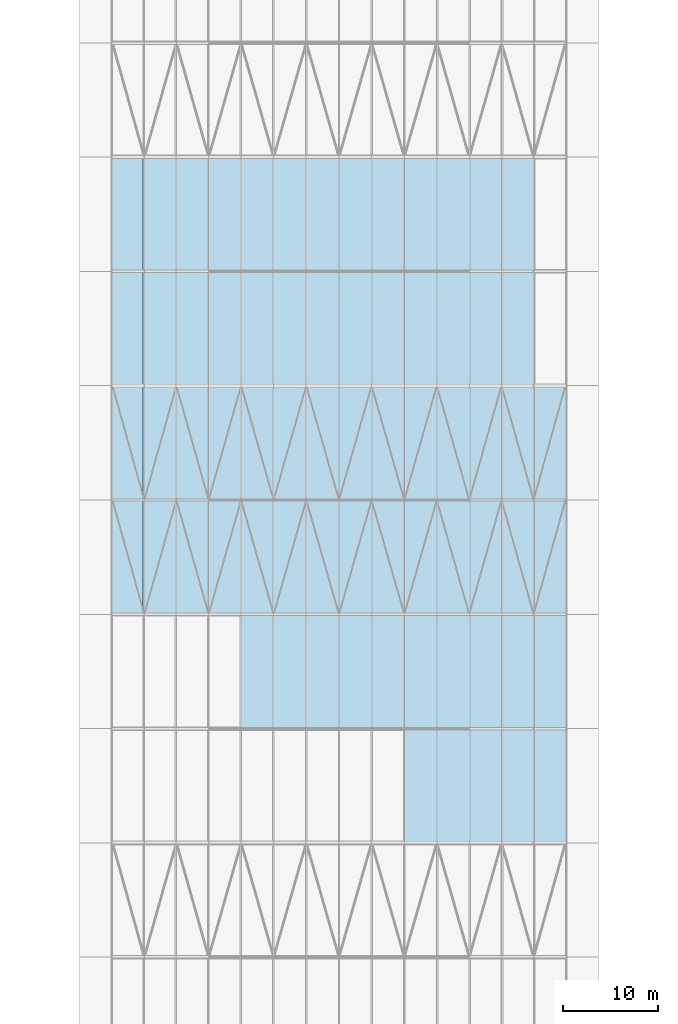
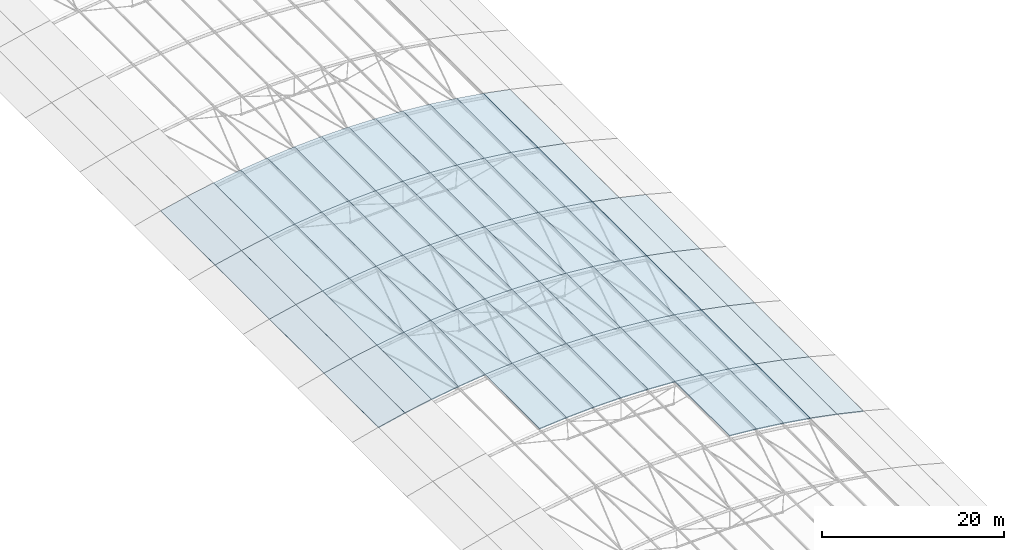
# One storey, part 50 of 91: 69 slabs.
"""IFC4 building model written with IfcOpenShell, lengths in metres."""

from ifc_helpers import new_model, si_unit, direction, frame, origin, place, context, subcontext, project, spatial, polyline, outline, extrude, material, layer, layer_set, type_object, element, save


model = new_model("IFC4")

# Units and contexts
model_context = context("Model", 3, precision=1e-05, world=origin(), true_north=direction((0.0, 1.0)))
body_context = subcontext(model_context, "Body", "Model", "MODEL_VIEW")
ifc_project = project(units=[si_unit("LENGTHUNIT", "METRE"), si_unit("AREAUNIT", "SQUARE_METRE"), si_unit("VOLUMEUNIT", "CUBIC_METRE"), si_unit("PLANEANGLEUNIT", "RADIAN"), si_unit("MASSUNIT", "GRAM", prefix="KILO")], contexts=[model_context])

# Site, building, storey
site_placement = place(None, origin())
site = spatial("IfcSite", under=ifc_project, at=site_placement, CompositionType="ELEMENT")
building_placement = place(site_placement, origin())
building = spatial("IfcBuilding", under=site, at=building_placement, Name="Ravi Spectrum Wholesale Market", CompositionType="ELEMENT")
storey_placement = place(building_placement, frame((0.0, 0.0, 16.199951171875)))
storey = spatial("IfcBuildingStorey", under=building, at=storey_placement, Name="ROOF PLANT LEVEL", CompositionType="ELEMENT", Elevation=16.199951171875)

# Slabs
ifc_material = material(Name="Steel S355", Category="steel")
ifc_layer = layer(ifc_material, 0.1201171875)
ifc_layer_set = layer_set([ifc_layer], Name="Steel S355")
slab_type = type_object("IfcSlabType", Name="Roof panel 120", PredefinedType="ROOF", material=ifc_layer_set)
slab_1_placement = place(storey_placement, frame((76.8984375, 78.0, 3.35498046875), z_axis=(0.086134430501, 0.0, 0.996283523844), x_axis=(0.996283523844, 0.0, -0.086134430501)))
element("IfcSlab", 1, at=slab_1_placement, inside=storey, type_object=slab_type, Name="H1-SL-ROOF-066", PredefinedType="ROOF", context=body_context, shape_type="SweptSolid", body=[
    extrude(outline(polyline([(0.0, 0.0), (3.4466472730346154, 0.0), (3.4466472730346154, 12.000000000000004), (0.0, 12.000000000000004), (0.0, 0.0)])), origin(), (0.0, 0.0, -1.0), 0.1201171875),
])
slab_2_placement = place(storey_placement, frame((80.33642578125, 78.0, 3.057861328125), z_axis=(0.120485786945, 0.0, 0.992715052341), x_axis=(0.992715052341, 0.0, -0.120485786945)))
element("IfcSlab", 2, at=slab_2_placement, inside=storey, type_object=slab_type, Name="H1-SL-ROOF-067", PredefinedType="ROOF", context=body_context, shape_type="SweptSolid", body=[
    extrude(outline(polyline([(0.0, 0.0), (3.446740181189331, 0.0), (3.446740181189331, 12.0), (0.0, 12.0), (0.0, 0.0)])), origin(), (0.0, 0.0, -1.0), 0.1201171875),
])
slab_3_placement = place(storey_placement, frame((83.761962890625, 78.0, 2.64208984375), z_axis=(0.154627524057, 0.0, 0.98797283809), x_axis=(0.98797283809, 0.0, -0.154627524057)))
element("IfcSlab", 3, at=slab_3_placement, inside=storey, type_object=slab_type, Name="H1-SL-ROOF-068", PredefinedType="ROOF", context=body_context, shape_type="SweptSolid", body=[
    extrude(outline(polyline([(0.0, 0.0), (3.4467277906978815, 0.0), (3.4467277906978815, 12.0), (0.0, 12.0), (0.0, 0.0)])), origin(), (0.0, 0.0, -1.0), 0.1201171875),
])
slab_4_placement = place(storey_placement, frame((87.17138671875, 78.0, 2.1083984375), z_axis=(0.188631955583, 0.0, 0.982047852873), x_axis=(0.982047852873, 0.0, -0.188631955583)))
element("IfcSlab", 4, at=slab_4_placement, inside=storey, type_object=slab_type, Name="H1-SL-ROOF-069", PredefinedType="ROOF", context=body_context, shape_type="SweptSolid", body=[
    extrude(outline(polyline([(0.0, 0.0), (3.4466402172734556, 0.0), (3.4466402172734556, 12.0), (0.0, 12.0), (0.0, 0.0)])), origin(), (0.0, 0.0, -1.0), 0.1201171875),
])
slab_5_placement = place(storey_placement, frame((90.56005859375, 78.0, 1.45751953125), z_axis=(0.222349705354, 0.0, 0.974966978174), x_axis=(0.974966978174, 0.0, -0.222349705354)))
element("IfcSlab", 5, at=slab_5_placement, inside=storey, type_object=slab_type, Name="H1-SL-ROOF-070", PredefinedType="ROOF", context=body_context, shape_type="SweptSolid", body=[
    extrude(outline(polyline([(0.0, 0.0), (3.4466311554413664, 0.0), (3.4466311554413664, 12.0), (0.0, 12.0), (0.0, 0.0)])), origin(), (0.0, 0.0, -1.0), 0.1201171875),
])
slab_6_placement = place(storey_placement, frame((59.667724609375, 90.0, 3.05810546875), z_axis=(-0.086134430501, 0.0, 0.996283523844), x_axis=(0.996283523844, 0.0, 0.086134430501)))
element("IfcSlab", 6, at=slab_6_placement, inside=storey, type_object=slab_type, Name="H1-SL-ROOF-075", PredefinedType="ROOF", context=body_context, shape_type="SweptSolid", body=[
    extrude(outline(polyline([(0.0, 0.0), (3.4466472730346154, 0.0), (3.4466472730346154, 12.000000000000004), (0.0, 12.000000000000004), (0.0, 0.0)])), origin(), (0.0, 0.0, -1.0), 0.1201171875),
])
slab_7_placement = place(storey_placement, frame((63.105712890625, 90.0, 3.35546875), z_axis=(-0.051711116626, 0.0, 0.998662085201), x_axis=(0.998662085201, 0.0, 0.051711116626)))
element("IfcSlab", 7, at=slab_7_placement, inside=storey, type_object=slab_type, Name="H1-SL-ROOF-076", PredefinedType="ROOF", context=body_context, shape_type="SweptSolid", body=[
    extrude(outline(polyline([(0.0, 0.0), (3.446505662181547, 0.0), (3.446505662181547, 12.0), (0.0, 12.0), (0.0, 0.0)])), origin(), (0.0, 0.0, -1.0), 0.1201171875),
])
for number, where, z_axis, x_axis, name in (
    (8, (66.5517578125, 90.0, 3.53369140625), (-0.017282768249, 0.0, 0.999850641807), (0.999850641807, 0.0, 0.017282768249), "H1-SL-ROOF-077"),
    (9, (70.001953125, 90.0, 3.59326171875), (0.017282768249, 0.0, 0.999850641807), (0.999850641807, 0.0, -0.017282768249), "H1-SL-ROOF-078"),
):
    element("IfcSlab", number, at=place(storey_placement, frame(where, z_axis=z_axis, x_axis=x_axis)), inside=storey, type_object=slab_type, Name=name, PredefinedType="ROOF", context=body_context, shape_type="SweptSolid", body=[
        extrude(outline(polyline([(0.0, 0.0), (3.446803870898151, 0.0), (3.446803870898151, 12.0), (0.0, 12.0), (0.0, 0.0)])), origin(), (0.0, 0.0, -1.0), 0.1201171875),
    ])
slab_8_placement = place(storey_placement, frame((73.452392578125, 90.0, 3.53369140625), z_axis=(0.051711116626, 0.0, 0.998662085201), x_axis=(0.998662085201, 0.0, -0.051711116626)))
element("IfcSlab", 10, at=slab_8_placement, inside=storey, type_object=slab_type, Name="H1-SL-ROOF-079", PredefinedType="ROOF", context=body_context, shape_type="SweptSolid", body=[
    extrude(outline(polyline([(0.0, 0.0), (3.446505662181547, 0.0), (3.446505662181547, 12.0), (0.0, 12.0), (0.0, 0.0)])), origin(), (0.0, 0.0, -1.0), 0.1201171875),
])
slab_9_placement = place(storey_placement, frame((76.8984375, 90.0, 3.35498046875), z_axis=(0.086134430501, 0.0, 0.996283523844), x_axis=(0.996283523844, 0.0, -0.086134430501)))
element("IfcSlab", 11, at=slab_9_placement, inside=storey, type_object=slab_type, Name="H1-SL-ROOF-080", PredefinedType="ROOF", context=body_context, shape_type="SweptSolid", body=[
    extrude(outline(polyline([(0.0, 0.0), (3.4466472730346154, 0.0), (3.4466472730346154, 12.000000000000004), (0.0, 12.000000000000004), (0.0, 0.0)])), origin(), (0.0, 0.0, -1.0), 0.1201171875),
])
slab_10_placement = place(storey_placement, frame((80.33642578125, 90.0, 3.057861328125), z_axis=(0.120485786945, 0.0, 0.992715052341), x_axis=(0.992715052341, 0.0, -0.120485786945)))
element("IfcSlab", 12, at=slab_10_placement, inside=storey, type_object=slab_type, Name="H1-SL-ROOF-081", PredefinedType="ROOF", context=body_context, shape_type="SweptSolid", body=[
    extrude(outline(polyline([(0.0, 0.0), (3.446740181189331, 0.0), (3.446740181189331, 12.0), (0.0, 12.0), (0.0, 0.0)])), origin(), (0.0, 0.0, -1.0), 0.1201171875),
])
slab_11_placement = place(storey_placement, frame((83.761962890625, 90.0, 2.64208984375), z_axis=(0.154627524057, 0.0, 0.98797283809), x_axis=(0.98797283809, 0.0, -0.154627524057)))
element("IfcSlab", 13, at=slab_11_placement, inside=storey, type_object=slab_type, Name="H1-SL-ROOF-082", PredefinedType="ROOF", context=body_context, shape_type="SweptSolid", body=[
    extrude(outline(polyline([(0.0, 0.0), (3.4467277906978815, 0.0), (3.4467277906978815, 12.0), (0.0, 12.0), (0.0, 0.0)])), origin(), (0.0, 0.0, -1.0), 0.1201171875),
])
slab_12_placement = place(storey_placement, frame((87.17138671875, 90.0, 2.1083984375), z_axis=(0.188631955583, 0.0, 0.982047852873), x_axis=(0.982047852873, 0.0, -0.188631955583)))
element("IfcSlab", 14, at=slab_12_placement, inside=storey, type_object=slab_type, Name="H1-SL-ROOF-083", PredefinedType="ROOF", context=body_context, shape_type="SweptSolid", body=[
    extrude(outline(polyline([(0.0, 0.0), (3.4466402172734556, 0.0), (3.4466402172734556, 12.0), (0.0, 12.0), (0.0, 0.0)])), origin(), (0.0, 0.0, -1.0), 0.1201171875),
])
for number, where, z_axis, x_axis, name in (
    (15, (90.56005859375, 90.0, 1.45751953125), (0.222349705354, 0.0, 0.974966978174), (0.974966978174, 0.0, -0.222349705354), "H1-SL-ROOF-084"),
    (16, (46.07958984375, 102.0, 0.691162109375), (-0.222349705354, 0.0, 0.974966978174), (0.974966978174, 0.0, 0.222349705354), "H1-SL-ROOF-085"),
):
    element("IfcSlab", number, at=place(storey_placement, frame(where, z_axis=z_axis, x_axis=x_axis)), inside=storey, type_object=slab_type, Name=name, PredefinedType="ROOF", context=body_context, shape_type="SweptSolid", body=[
        extrude(outline(polyline([(0.0, 0.0), (3.4466311554413664, 0.0), (3.4466311554413664, 12.0), (0.0, 12.0), (0.0, 0.0)])), origin(), (0.0, 0.0, -1.0), 0.1201171875),
    ])
slab_13_placement = place(storey_placement, frame((49.44384765625, 102.0, 1.458251953125), z_axis=(-0.188631955583, 0.0, 0.982047852873), x_axis=(0.982047852873, 0.0, 0.188631955583)))
element("IfcSlab", 17, at=slab_13_placement, inside=storey, type_object=slab_type, Name="H1-SL-ROOF-086", PredefinedType="ROOF", context=body_context, shape_type="SweptSolid", body=[
    extrude(outline(polyline([(0.0, 0.0), (3.4466402172734556, 0.0), (3.4466402172734556, 12.0), (0.0, 12.0), (0.0, 0.0)])), origin(), (0.0, 0.0, -1.0), 0.1201171875),
])
slab_14_placement = place(storey_placement, frame((52.832763671875, 102.0, 2.109130859375), z_axis=(-0.154627524057, 0.0, 0.98797283809), x_axis=(0.98797283809, 0.0, 0.154627524057)))
element("IfcSlab", 18, at=slab_14_placement, inside=storey, type_object=slab_type, Name="H1-SL-ROOF-087", PredefinedType="ROOF", context=body_context, shape_type="SweptSolid", body=[
    extrude(outline(polyline([(0.0, 0.0), (3.4467277906978815, 0.0), (3.4467277906978815, 12.0), (0.0, 12.0), (0.0, 0.0)])), origin(), (0.0, 0.0, -1.0), 0.1201171875),
])
slab_15_placement = place(storey_placement, frame((56.241943359375, 102.0, 2.642578125), z_axis=(-0.120485786945, 0.0, 0.992715052341), x_axis=(0.992715052341, 0.0, 0.120485786945)))
element("IfcSlab", 19, at=slab_15_placement, inside=storey, type_object=slab_type, Name="H1-SL-ROOF-088", PredefinedType="ROOF", context=body_context, shape_type="SweptSolid", body=[
    extrude(outline(polyline([(0.0, 0.0), (3.446740181189331, 0.0), (3.446740181189331, 12.0), (0.0, 12.0), (0.0, 0.0)])), origin(), (0.0, 0.0, -1.0), 0.1201171875),
])
slab_16_placement = place(storey_placement, frame((59.667724609375, 102.0, 3.05810546875), z_axis=(-0.086134430501, 0.0, 0.996283523844), x_axis=(0.996283523844, 0.0, 0.086134430501)))
element("IfcSlab", 20, at=slab_16_placement, inside=storey, type_object=slab_type, Name="H1-SL-ROOF-089", PredefinedType="ROOF", context=body_context, shape_type="SweptSolid", body=[
    extrude(outline(polyline([(0.0, 0.0), (3.4466472730346154, 0.0), (3.4466472730346154, 12.000000000000004), (0.0, 12.000000000000004), (0.0, 0.0)])), origin(), (0.0, 0.0, -1.0), 0.1201171875),
])
slab_17_placement = place(storey_placement, frame((63.105712890625, 102.0, 3.35546875), z_axis=(-0.051711116626, 0.0, 0.998662085201), x_axis=(0.998662085201, 0.0, 0.051711116626)))
element("IfcSlab", 21, at=slab_17_placement, inside=storey, type_object=slab_type, Name="H1-SL-ROOF-090", PredefinedType="ROOF", context=body_context, shape_type="SweptSolid", body=[
    extrude(outline(polyline([(0.0, 0.0), (3.446505662181547, 0.0), (3.446505662181547, 12.0), (0.0, 12.0), (0.0, 0.0)])), origin(), (0.0, 0.0, -1.0), 0.1201171875),
])
for number, where, z_axis, x_axis, name in (
    (22, (66.5517578125, 102.0, 3.53369140625), (-0.017282768249, 0.0, 0.999850641807), (0.999850641807, 0.0, 0.017282768249), "H1-SL-ROOF-091"),
    (23, (70.001953125, 102.0, 3.59326171875), (0.017282768249, 0.0, 0.999850641807), (0.999850641807, 0.0, -0.017282768249), "H1-SL-ROOF-092"),
):
    element("IfcSlab", number, at=place(storey_placement, frame(where, z_axis=z_axis, x_axis=x_axis)), inside=storey, type_object=slab_type, Name=name, PredefinedType="ROOF", context=body_context, shape_type="SweptSolid", body=[
        extrude(outline(polyline([(0.0, 0.0), (3.446803870898151, 0.0), (3.446803870898151, 12.0), (0.0, 12.0), (0.0, 0.0)])), origin(), (0.0, 0.0, -1.0), 0.1201171875),
    ])
slab_18_placement = place(storey_placement, frame((73.452392578125, 102.0, 3.53369140625), z_axis=(0.051711116626, 0.0, 0.998662085201), x_axis=(0.998662085201, 0.0, -0.051711116626)))
element("IfcSlab", 24, at=slab_18_placement, inside=storey, type_object=slab_type, Name="H1-SL-ROOF-093", PredefinedType="ROOF", context=body_context, shape_type="SweptSolid", body=[
    extrude(outline(polyline([(0.0, 0.0), (3.446505662181547, 0.0), (3.446505662181547, 12.0), (0.0, 12.0), (0.0, 0.0)])), origin(), (0.0, 0.0, -1.0), 0.1201171875),
])
slab_19_placement = place(storey_placement, frame((76.8984375, 102.0, 3.35498046875), z_axis=(0.086134430501, 0.0, 0.996283523844), x_axis=(0.996283523844, 0.0, -0.086134430501)))
element("IfcSlab", 25, at=slab_19_placement, inside=storey, type_object=slab_type, Name="H1-SL-ROOF-094", PredefinedType="ROOF", context=body_context, shape_type="SweptSolid", body=[
    extrude(outline(polyline([(0.0, 0.0), (3.4466472730346154, 0.0), (3.4466472730346154, 12.000000000000004), (0.0, 12.000000000000004), (0.0, 0.0)])), origin(), (0.0, 0.0, -1.0), 0.1201171875),
])
slab_20_placement = place(storey_placement, frame((80.33642578125, 102.0, 3.057861328125), z_axis=(0.120485786945, 0.0, 0.992715052341), x_axis=(0.992715052341, 0.0, -0.120485786945)))
element("IfcSlab", 26, at=slab_20_placement, inside=storey, type_object=slab_type, Name="H1-SL-ROOF-095", PredefinedType="ROOF", context=body_context, shape_type="SweptSolid", body=[
    extrude(outline(polyline([(0.0, 0.0), (3.446740181189331, 0.0), (3.446740181189331, 12.0), (0.0, 12.0), (0.0, 0.0)])), origin(), (0.0, 0.0, -1.0), 0.1201171875),
])
slab_21_placement = place(storey_placement, frame((83.761962890625, 102.0, 2.64208984375), z_axis=(0.154627524057, 0.0, 0.98797283809), x_axis=(0.98797283809, 0.0, -0.154627524057)))
element("IfcSlab", 27, at=slab_21_placement, inside=storey, type_object=slab_type, Name="H1-SL-ROOF-096", PredefinedType="ROOF", context=body_context, shape_type="SweptSolid", body=[
    extrude(outline(polyline([(0.0, 0.0), (3.4467277906978815, 0.0), (3.4467277906978815, 12.0), (0.0, 12.0), (0.0, 0.0)])), origin(), (0.0, 0.0, -1.0), 0.1201171875),
])
slab_22_placement = place(storey_placement, frame((87.17138671875, 102.0, 2.1083984375), z_axis=(0.188631955583, 0.0, 0.982047852873), x_axis=(0.982047852873, 0.0, -0.188631955583)))
element("IfcSlab", 28, at=slab_22_placement, inside=storey, type_object=slab_type, Name="H1-SL-ROOF-097", PredefinedType="ROOF", context=body_context, shape_type="SweptSolid", body=[
    extrude(outline(polyline([(0.0, 0.0), (3.4466402172734556, 0.0), (3.4466402172734556, 12.0), (0.0, 12.0), (0.0, 0.0)])), origin(), (0.0, 0.0, -1.0), 0.1201171875),
])
for number, where, z_axis, x_axis, name in (
    (29, (90.56005859375, 102.0, 1.45751953125), (0.222349705354, 0.0, 0.974966978174), (0.974966978174, 0.0, -0.222349705354), "H1-SL-ROOF-098"),
    (30, (46.07958984375, 114.0, 0.691162109375), (-0.222349705354, 0.0, 0.974966978174), (0.974966978174, 0.0, 0.222349705354), "H1-SL-ROOF-099"),
):
    element("IfcSlab", number, at=place(storey_placement, frame(where, z_axis=z_axis, x_axis=x_axis)), inside=storey, type_object=slab_type, Name=name, PredefinedType="ROOF", context=body_context, shape_type="SweptSolid", body=[
        extrude(outline(polyline([(0.0, 0.0), (3.4466311554413664, 0.0), (3.4466311554413664, 12.0), (0.0, 12.0), (0.0, 0.0)])), origin(), (0.0, 0.0, -1.0), 0.1201171875),
    ])
slab_23_placement = place(storey_placement, frame((49.44384765625, 114.0, 1.458251953125), z_axis=(-0.188631955583, 0.0, 0.982047852873), x_axis=(0.982047852873, 0.0, 0.188631955583)))
element("IfcSlab", 31, at=slab_23_placement, inside=storey, type_object=slab_type, Name="H1-SL-ROOF-100", PredefinedType="ROOF", context=body_context, shape_type="SweptSolid", body=[
    extrude(outline(polyline([(0.0, 0.0), (3.4466402172734556, 0.0), (3.4466402172734556, 12.0), (0.0, 12.0), (0.0, 0.0)])), origin(), (0.0, 0.0, -1.0), 0.1201171875),
])
slab_24_placement = place(storey_placement, frame((52.832763671875, 114.0, 2.109130859375), z_axis=(-0.154627524057, 0.0, 0.98797283809), x_axis=(0.98797283809, 0.0, 0.154627524057)))
element("IfcSlab", 32, at=slab_24_placement, inside=storey, type_object=slab_type, Name="H1-SL-ROOF-101", PredefinedType="ROOF", context=body_context, shape_type="SweptSolid", body=[
    extrude(outline(polyline([(0.0, 0.0), (3.4467277906978815, 0.0), (3.4467277906978815, 12.0), (0.0, 12.0), (0.0, 0.0)])), origin(), (0.0, 0.0, -1.0), 0.1201171875),
])
slab_25_placement = place(storey_placement, frame((56.241943359375, 114.0, 2.642578125), z_axis=(-0.120485786945, 0.0, 0.992715052341), x_axis=(0.992715052341, 0.0, 0.120485786945)))
element("IfcSlab", 33, at=slab_25_placement, inside=storey, type_object=slab_type, Name="H1-SL-ROOF-102", PredefinedType="ROOF", context=body_context, shape_type="SweptSolid", body=[
    extrude(outline(polyline([(0.0, 0.0), (3.446740181189331, 0.0), (3.446740181189331, 12.0), (0.0, 12.0), (0.0, 0.0)])), origin(), (0.0, 0.0, -1.0), 0.1201171875),
])
slab_26_placement = place(storey_placement, frame((59.667724609375, 114.0, 3.05810546875), z_axis=(-0.086134430501, 0.0, 0.996283523844), x_axis=(0.996283523844, 0.0, 0.086134430501)))
element("IfcSlab", 34, at=slab_26_placement, inside=storey, type_object=slab_type, Name="H1-SL-ROOF-103", PredefinedType="ROOF", context=body_context, shape_type="SweptSolid", body=[
    extrude(outline(polyline([(0.0, 0.0), (3.4466472730346154, 0.0), (3.4466472730346154, 12.000000000000004), (0.0, 12.000000000000004), (0.0, 0.0)])), origin(), (0.0, 0.0, -1.0), 0.1201171875),
])
slab_27_placement = place(storey_placement, frame((63.105712890625, 114.0, 3.35546875), z_axis=(-0.051711116626, 0.0, 0.998662085201), x_axis=(0.998662085201, 0.0, 0.051711116626)))
element("IfcSlab", 35, at=slab_27_placement, inside=storey, type_object=slab_type, Name="H1-SL-ROOF-104", PredefinedType="ROOF", context=body_context, shape_type="SweptSolid", body=[
    extrude(outline(polyline([(0.0, 0.0), (3.446505662181547, 0.0), (3.446505662181547, 12.0), (0.0, 12.0), (0.0, 0.0)])), origin(), (0.0, 0.0, -1.0), 0.1201171875),
])
for number, where, z_axis, x_axis, name in (
    (36, (66.5517578125, 114.0, 3.53369140625), (-0.017282768249, 0.0, 0.999850641807), (0.999850641807, 0.0, 0.017282768249), "H1-SL-ROOF-105"),
    (37, (70.001953125, 114.0, 3.59326171875), (0.017282768249, 0.0, 0.999850641807), (0.999850641807, 0.0, -0.017282768249), "H1-SL-ROOF-106"),
):
    element("IfcSlab", number, at=place(storey_placement, frame(where, z_axis=z_axis, x_axis=x_axis)), inside=storey, type_object=slab_type, Name=name, PredefinedType="ROOF", context=body_context, shape_type="SweptSolid", body=[
        extrude(outline(polyline([(0.0, 0.0), (3.446803870898151, 0.0), (3.446803870898151, 12.0), (0.0, 12.0), (0.0, 0.0)])), origin(), (0.0, 0.0, -1.0), 0.1201171875),
    ])
slab_28_placement = place(storey_placement, frame((73.452392578125, 114.0, 3.53369140625), z_axis=(0.051711116626, 0.0, 0.998662085201), x_axis=(0.998662085201, 0.0, -0.051711116626)))
element("IfcSlab", 38, at=slab_28_placement, inside=storey, type_object=slab_type, Name="H1-SL-ROOF-107", PredefinedType="ROOF", context=body_context, shape_type="SweptSolid", body=[
    extrude(outline(polyline([(0.0, 0.0), (3.446505662181547, 0.0), (3.446505662181547, 12.0), (0.0, 12.0), (0.0, 0.0)])), origin(), (0.0, 0.0, -1.0), 0.1201171875),
])
slab_29_placement = place(storey_placement, frame((76.8984375, 114.0, 3.35498046875), z_axis=(0.086134430501, 0.0, 0.996283523844), x_axis=(0.996283523844, 0.0, -0.086134430501)))
element("IfcSlab", 39, at=slab_29_placement, inside=storey, type_object=slab_type, Name="H1-SL-ROOF-108", PredefinedType="ROOF", context=body_context, shape_type="SweptSolid", body=[
    extrude(outline(polyline([(0.0, 0.0), (3.4466472730346154, 0.0), (3.4466472730346154, 12.000000000000004), (0.0, 12.000000000000004), (0.0, 0.0)])), origin(), (0.0, 0.0, -1.0), 0.1201171875),
])
slab_30_placement = place(storey_placement, frame((80.33642578125, 114.0, 3.057861328125), z_axis=(0.120485786945, 0.0, 0.992715052341), x_axis=(0.992715052341, 0.0, -0.120485786945)))
element("IfcSlab", 40, at=slab_30_placement, inside=storey, type_object=slab_type, Name="H1-SL-ROOF-109", PredefinedType="ROOF", context=body_context, shape_type="SweptSolid", body=[
    extrude(outline(polyline([(0.0, 0.0), (3.446740181189331, 0.0), (3.446740181189331, 12.0), (0.0, 12.0), (0.0, 0.0)])), origin(), (0.0, 0.0, -1.0), 0.1201171875),
])
slab_31_placement = place(storey_placement, frame((83.761962890625, 114.0, 2.64208984375), z_axis=(0.154627524057, 0.0, 0.98797283809), x_axis=(0.98797283809, 0.0, -0.154627524057)))
element("IfcSlab", 41, at=slab_31_placement, inside=storey, type_object=slab_type, Name="H1-SL-ROOF-110", PredefinedType="ROOF", context=body_context, shape_type="SweptSolid", body=[
    extrude(outline(polyline([(0.0, 0.0), (3.4467277906978815, 0.0), (3.4467277906978815, 12.0), (0.0, 12.0), (0.0, 0.0)])), origin(), (0.0, 0.0, -1.0), 0.1201171875),
])
slab_32_placement = place(storey_placement, frame((87.17138671875, 114.0, 2.1083984375), z_axis=(0.188631955583, 0.0, 0.982047852873), x_axis=(0.982047852873, 0.0, -0.188631955583)))
element("IfcSlab", 42, at=slab_32_placement, inside=storey, type_object=slab_type, Name="H1-SL-ROOF-111", PredefinedType="ROOF", context=body_context, shape_type="SweptSolid", body=[
    extrude(outline(polyline([(0.0, 0.0), (3.4466402172734556, 0.0), (3.4466402172734556, 12.0), (0.0, 12.0), (0.0, 0.0)])), origin(), (0.0, 0.0, -1.0), 0.1201171875),
])
for number, where, z_axis, x_axis, name in (
    (43, (90.56005859375, 114.0, 1.45751953125), (0.222349705354, 0.0, 0.974966978174), (0.974966978174, 0.0, -0.222349705354), "H1-SL-ROOF-112"),
    (44, (46.07958984375, 126.0, 0.691162109375), (-0.222349705354, 0.0, 0.974966978174), (0.974966978174, 0.0, 0.222349705354), "H1-SL-ROOF-113"),
):
    element("IfcSlab", number, at=place(storey_placement, frame(where, z_axis=z_axis, x_axis=x_axis)), inside=storey, type_object=slab_type, Name=name, PredefinedType="ROOF", context=body_context, shape_type="SweptSolid", body=[
        extrude(outline(polyline([(0.0, 0.0), (3.4466311554413664, 0.0), (3.4466311554413664, 12.0), (0.0, 12.0), (0.0, 0.0)])), origin(), (0.0, 0.0, -1.0), 0.1201171875),
    ])
slab_33_placement = place(storey_placement, frame((49.44384765625, 126.0, 1.458251953125), z_axis=(-0.188631955583, 0.0, 0.982047852873), x_axis=(0.982047852873, 0.0, 0.188631955583)))
element("IfcSlab", 45, at=slab_33_placement, inside=storey, type_object=slab_type, Name="H1-SL-ROOF-114", PredefinedType="ROOF", context=body_context, shape_type="SweptSolid", body=[
    extrude(outline(polyline([(0.0, 0.0), (3.4466402172734556, 0.0), (3.4466402172734556, 12.0), (0.0, 12.0), (0.0, 0.0)])), origin(), (0.0, 0.0, -1.0), 0.1201171875),
])
slab_34_placement = place(storey_placement, frame((52.832763671875, 126.0, 2.109130859375), z_axis=(-0.154627524057, 0.0, 0.98797283809), x_axis=(0.98797283809, 0.0, 0.154627524057)))
element("IfcSlab", 46, at=slab_34_placement, inside=storey, type_object=slab_type, Name="H1-SL-ROOF-115", PredefinedType="ROOF", context=body_context, shape_type="SweptSolid", body=[
    extrude(outline(polyline([(0.0, 0.0), (3.4467277906978815, 0.0), (3.4467277906978815, 12.0), (0.0, 12.0), (0.0, 0.0)])), origin(), (0.0, 0.0, -1.0), 0.1201171875),
])
slab_35_placement = place(storey_placement, frame((56.241943359375, 126.0, 2.642578125), z_axis=(-0.120485786945, 0.0, 0.992715052341), x_axis=(0.992715052341, 0.0, 0.120485786945)))
element("IfcSlab", 47, at=slab_35_placement, inside=storey, type_object=slab_type, Name="H1-SL-ROOF-116", PredefinedType="ROOF", context=body_context, shape_type="SweptSolid", body=[
    extrude(outline(polyline([(0.0, 0.0), (3.446740181189331, 0.0), (3.446740181189331, 12.0), (0.0, 12.0), (0.0, 0.0)])), origin(), (0.0, 0.0, -1.0), 0.1201171875),
])
slab_36_placement = place(storey_placement, frame((59.667724609375, 126.0, 3.05810546875), z_axis=(-0.086134430501, 0.0, 0.996283523844), x_axis=(0.996283523844, 0.0, 0.086134430501)))
element("IfcSlab", 48, at=slab_36_placement, inside=storey, type_object=slab_type, Name="H1-SL-ROOF-117", PredefinedType="ROOF", context=body_context, shape_type="SweptSolid", body=[
    extrude(outline(polyline([(0.0, 0.0), (3.4466472730346154, 0.0), (3.4466472730346154, 12.000000000000004), (0.0, 12.000000000000004), (0.0, 0.0)])), origin(), (0.0, 0.0, -1.0), 0.1201171875),
])
slab_37_placement = place(storey_placement, frame((63.105712890625, 126.0, 3.35546875), z_axis=(-0.051711116626, 0.0, 0.998662085201), x_axis=(0.998662085201, 0.0, 0.051711116626)))
element("IfcSlab", 49, at=slab_37_placement, inside=storey, type_object=slab_type, Name="H1-SL-ROOF-118", PredefinedType="ROOF", context=body_context, shape_type="SweptSolid", body=[
    extrude(outline(polyline([(0.0, 0.0), (3.446505662181547, 0.0), (3.446505662181547, 12.0), (0.0, 12.0), (0.0, 0.0)])), origin(), (0.0, 0.0, -1.0), 0.1201171875),
])
for number, where, z_axis, x_axis, name in (
    (50, (66.5517578125, 126.0, 3.53369140625), (-0.017282768249, 0.0, 0.999850641807), (0.999850641807, 0.0, 0.017282768249), "H1-SL-ROOF-119"),
    (51, (70.001953125, 126.0, 3.59326171875), (0.017282768249, 0.0, 0.999850641807), (0.999850641807, 0.0, -0.017282768249), "H1-SL-ROOF-120"),
):
    element("IfcSlab", number, at=place(storey_placement, frame(where, z_axis=z_axis, x_axis=x_axis)), inside=storey, type_object=slab_type, Name=name, PredefinedType="ROOF", context=body_context, shape_type="SweptSolid", body=[
        extrude(outline(polyline([(0.0, 0.0), (3.446803870898151, 0.0), (3.446803870898151, 12.0), (0.0, 12.0), (0.0, 0.0)])), origin(), (0.0, 0.0, -1.0), 0.1201171875),
    ])
slab_38_placement = place(storey_placement, frame((73.452392578125, 126.0, 3.53369140625), z_axis=(0.051711116626, 0.0, 0.998662085201), x_axis=(0.998662085201, 0.0, -0.051711116626)))
element("IfcSlab", 52, at=slab_38_placement, inside=storey, type_object=slab_type, Name="H1-SL-ROOF-121", PredefinedType="ROOF", context=body_context, shape_type="SweptSolid", body=[
    extrude(outline(polyline([(0.0, 0.0), (3.446505662181547, 0.0), (3.446505662181547, 12.0), (0.0, 12.0), (0.0, 0.0)])), origin(), (0.0, 0.0, -1.0), 0.1201171875),
])
slab_39_placement = place(storey_placement, frame((76.8984375, 126.0, 3.35498046875), z_axis=(0.086134430501, 0.0, 0.996283523844), x_axis=(0.996283523844, 0.0, -0.086134430501)))
element("IfcSlab", 53, at=slab_39_placement, inside=storey, type_object=slab_type, Name="H1-SL-ROOF-122", PredefinedType="ROOF", context=body_context, shape_type="SweptSolid", body=[
    extrude(outline(polyline([(0.0, 0.0), (3.4466472730346154, 0.0), (3.4466472730346154, 12.000000000000004), (0.0, 12.000000000000004), (0.0, 0.0)])), origin(), (0.0, 0.0, -1.0), 0.1201171875),
])
slab_40_placement = place(storey_placement, frame((80.33642578125, 126.0, 3.057861328125), z_axis=(0.120485786945, 0.0, 0.992715052341), x_axis=(0.992715052341, 0.0, -0.120485786945)))
element("IfcSlab", 54, at=slab_40_placement, inside=storey, type_object=slab_type, Name="H1-SL-ROOF-123", PredefinedType="ROOF", context=body_context, shape_type="SweptSolid", body=[
    extrude(outline(polyline([(0.0, 0.0), (3.446740181189331, 0.0), (3.446740181189331, 12.0), (0.0, 12.0), (0.0, 0.0)])), origin(), (0.0, 0.0, -1.0), 0.1201171875),
])
slab_41_placement = place(storey_placement, frame((83.761962890625, 126.0, 2.64208984375), z_axis=(0.154627524057, 0.0, 0.98797283809), x_axis=(0.98797283809, 0.0, -0.154627524057)))
element("IfcSlab", 55, at=slab_41_placement, inside=storey, type_object=slab_type, Name="H1-SL-ROOF-124", PredefinedType="ROOF", context=body_context, shape_type="SweptSolid", body=[
    extrude(outline(polyline([(0.0, 0.0), (3.4467277906978815, 0.0), (3.4467277906978815, 12.0), (0.0, 12.0), (0.0, 0.0)])), origin(), (0.0, 0.0, -1.0), 0.1201171875),
])
slab_42_placement = place(storey_placement, frame((87.17138671875, 126.0, 2.1083984375), z_axis=(0.188631955583, 0.0, 0.982047852873), x_axis=(0.982047852873, 0.0, -0.188631955583)))
element("IfcSlab", 56, at=slab_42_placement, inside=storey, type_object=slab_type, Name="H1-SL-ROOF-125", PredefinedType="ROOF", context=body_context, shape_type="SweptSolid", body=[
    extrude(outline(polyline([(0.0, 0.0), (3.4466402172734556, 0.0), (3.4466402172734556, 12.0), (0.0, 12.0), (0.0, 0.0)])), origin(), (0.0, 0.0, -1.0), 0.1201171875),
])
slab_43_placement = place(storey_placement, frame((46.07958984375, 138.0, 0.691162109375), z_axis=(-0.222349705354, 0.0, 0.974966978174), x_axis=(0.974966978174, 0.0, 0.222349705354)))
element("IfcSlab", 57, at=slab_43_placement, inside=storey, type_object=slab_type, Name="H1-SL-ROOF-127", PredefinedType="ROOF", context=body_context, shape_type="SweptSolid", body=[
    extrude(outline(polyline([(0.0, 0.0), (3.4466311554413664, 0.0), (3.4466311554413664, 12.0), (0.0, 12.0), (0.0, 0.0)])), origin(), (0.0, 0.0, -1.0), 0.1201171875),
])
slab_44_placement = place(storey_placement, frame((49.44384765625, 138.0, 1.458251953125), z_axis=(-0.188631955583, 0.0, 0.982047852873), x_axis=(0.982047852873, 0.0, 0.188631955583)))
element("IfcSlab", 58, at=slab_44_placement, inside=storey, type_object=slab_type, Name="H1-SL-ROOF-128", PredefinedType="ROOF", context=body_context, shape_type="SweptSolid", body=[
    extrude(outline(polyline([(0.0, 0.0), (3.4466402172734556, 0.0), (3.4466402172734556, 12.0), (0.0, 12.0), (0.0, 0.0)])), origin(), (0.0, 0.0, -1.0), 0.1201171875),
])
slab_45_placement = place(storey_placement, frame((52.832763671875, 138.0, 2.109130859375), z_axis=(-0.154627524057, 0.0, 0.98797283809), x_axis=(0.98797283809, 0.0, 0.154627524057)))
element("IfcSlab", 59, at=slab_45_placement, inside=storey, type_object=slab_type, Name="H1-SL-ROOF-129", PredefinedType="ROOF", context=body_context, shape_type="SweptSolid", body=[
    extrude(outline(polyline([(0.0, 0.0), (3.4467277906978815, 0.0), (3.4467277906978815, 12.0), (0.0, 12.0), (0.0, 0.0)])), origin(), (0.0, 0.0, -1.0), 0.1201171875),
])
slab_46_placement = place(storey_placement, frame((56.241943359375, 138.0, 2.642578125), z_axis=(-0.120485786945, 0.0, 0.992715052341), x_axis=(0.992715052341, 0.0, 0.120485786945)))
element("IfcSlab", 60, at=slab_46_placement, inside=storey, type_object=slab_type, Name="H1-SL-ROOF-130", PredefinedType="ROOF", context=body_context, shape_type="SweptSolid", body=[
    extrude(outline(polyline([(0.0, 0.0), (3.446740181189331, 0.0), (3.446740181189331, 12.0), (0.0, 12.0), (0.0, 0.0)])), origin(), (0.0, 0.0, -1.0), 0.1201171875),
])
slab_47_placement = place(storey_placement, frame((59.667724609375, 138.0, 3.05810546875), z_axis=(-0.086134430501, 0.0, 0.996283523844), x_axis=(0.996283523844, 0.0, 0.086134430501)))
element("IfcSlab", 61, at=slab_47_placement, inside=storey, type_object=slab_type, Name="H1-SL-ROOF-131", PredefinedType="ROOF", context=body_context, shape_type="SweptSolid", body=[
    extrude(outline(polyline([(0.0, 0.0), (3.4466472730346154, 0.0), (3.4466472730346154, 12.000000000000004), (0.0, 12.000000000000004), (0.0, 0.0)])), origin(), (0.0, 0.0, -1.0), 0.1201171875),
])
slab_48_placement = place(storey_placement, frame((63.105712890625, 138.0, 3.35546875), z_axis=(-0.051711116626, 0.0, 0.998662085201), x_axis=(0.998662085201, 0.0, 0.051711116626)))
element("IfcSlab", 62, at=slab_48_placement, inside=storey, type_object=slab_type, Name="H1-SL-ROOF-132", PredefinedType="ROOF", context=body_context, shape_type="SweptSolid", body=[
    extrude(outline(polyline([(0.0, 0.0), (3.446505662181547, 0.0), (3.446505662181547, 12.0), (0.0, 12.0), (0.0, 0.0)])), origin(), (0.0, 0.0, -1.0), 0.1201171875),
])
for number, where, z_axis, x_axis, name in (
    (63, (66.5517578125, 138.0, 3.53369140625), (-0.017282768249, 0.0, 0.999850641807), (0.999850641807, 0.0, 0.017282768249), "H1-SL-ROOF-133"),
    (64, (70.001953125, 138.0, 3.59326171875), (0.017282768249, 0.0, 0.999850641807), (0.999850641807, 0.0, -0.017282768249), "H1-SL-ROOF-134"),
):
    element("IfcSlab", number, at=place(storey_placement, frame(where, z_axis=z_axis, x_axis=x_axis)), inside=storey, type_object=slab_type, Name=name, PredefinedType="ROOF", context=body_context, shape_type="SweptSolid", body=[
        extrude(outline(polyline([(0.0, 0.0), (3.446803870898151, 0.0), (3.446803870898151, 12.0), (0.0, 12.0), (0.0, 0.0)])), origin(), (0.0, 0.0, -1.0), 0.1201171875),
    ])
slab_49_placement = place(storey_placement, frame((73.452392578125, 138.0, 3.53369140625), z_axis=(0.051711116626, 0.0, 0.998662085201), x_axis=(0.998662085201, 0.0, -0.051711116626)))
element("IfcSlab", 65, at=slab_49_placement, inside=storey, type_object=slab_type, Name="H1-SL-ROOF-135", PredefinedType="ROOF", context=body_context, shape_type="SweptSolid", body=[
    extrude(outline(polyline([(0.0, 0.0), (3.446505662181547, 0.0), (3.446505662181547, 12.0), (0.0, 12.0), (0.0, 0.0)])), origin(), (0.0, 0.0, -1.0), 0.1201171875),
])
slab_50_placement = place(storey_placement, frame((76.8984375, 138.0, 3.35498046875), z_axis=(0.086134430501, 0.0, 0.996283523844), x_axis=(0.996283523844, 0.0, -0.086134430501)))
element("IfcSlab", 66, at=slab_50_placement, inside=storey, type_object=slab_type, Name="H1-SL-ROOF-136", PredefinedType="ROOF", context=body_context, shape_type="SweptSolid", body=[
    extrude(outline(polyline([(0.0, 0.0), (3.4466472730346154, 0.0), (3.4466472730346154, 12.000000000000004), (0.0, 12.000000000000004), (0.0, 0.0)])), origin(), (0.0, 0.0, -1.0), 0.1201171875),
])
slab_51_placement = place(storey_placement, frame((80.33642578125, 138.0, 3.057861328125), z_axis=(0.120485786945, 0.0, 0.992715052341), x_axis=(0.992715052341, 0.0, -0.120485786945)))
element("IfcSlab", 67, at=slab_51_placement, inside=storey, type_object=slab_type, Name="H1-SL-ROOF-137", PredefinedType="ROOF", context=body_context, shape_type="SweptSolid", body=[
    extrude(outline(polyline([(0.0, 0.0), (3.446740181189331, 0.0), (3.446740181189331, 12.0), (0.0, 12.0), (0.0, 0.0)])), origin(), (0.0, 0.0, -1.0), 0.1201171875),
])
slab_52_placement = place(storey_placement, frame((83.761962890625, 138.0, 2.64208984375), z_axis=(0.154627524057, 0.0, 0.98797283809), x_axis=(0.98797283809, 0.0, -0.154627524057)))
element("IfcSlab", 68, at=slab_52_placement, inside=storey, type_object=slab_type, Name="H1-SL-ROOF-138", PredefinedType="ROOF", context=body_context, shape_type="SweptSolid", body=[
    extrude(outline(polyline([(0.0, 0.0), (3.4467277906978815, 0.0), (3.4467277906978815, 12.0), (0.0, 12.0), (0.0, 0.0)])), origin(), (0.0, 0.0, -1.0), 0.1201171875),
])
slab_53_placement = place(storey_placement, frame((87.17138671875, 138.0, 2.1083984375), z_axis=(0.188631955583, 0.0, 0.982047852873), x_axis=(0.982047852873, 0.0, -0.188631955583)))
element("IfcSlab", 69, at=slab_53_placement, inside=storey, type_object=slab_type, Name="H1-SL-ROOF-139", PredefinedType="ROOF", context=body_context, shape_type="SweptSolid", body=[
    extrude(outline(polyline([(0.0, 0.0), (3.4466402172734556, 0.0), (3.4466402172734556, 12.0), (0.0, 12.0), (0.0, 0.0)])), origin(), (0.0, 0.0, -1.0), 0.1201171875),
])

save(model, "model.ifc")
